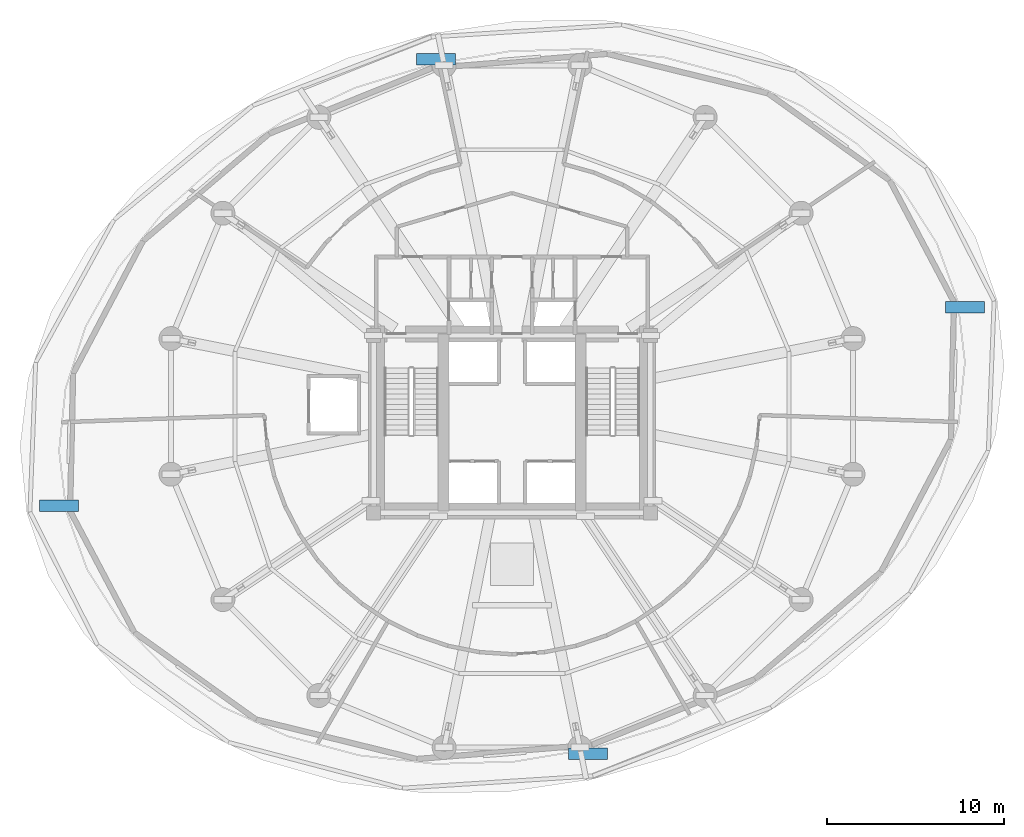
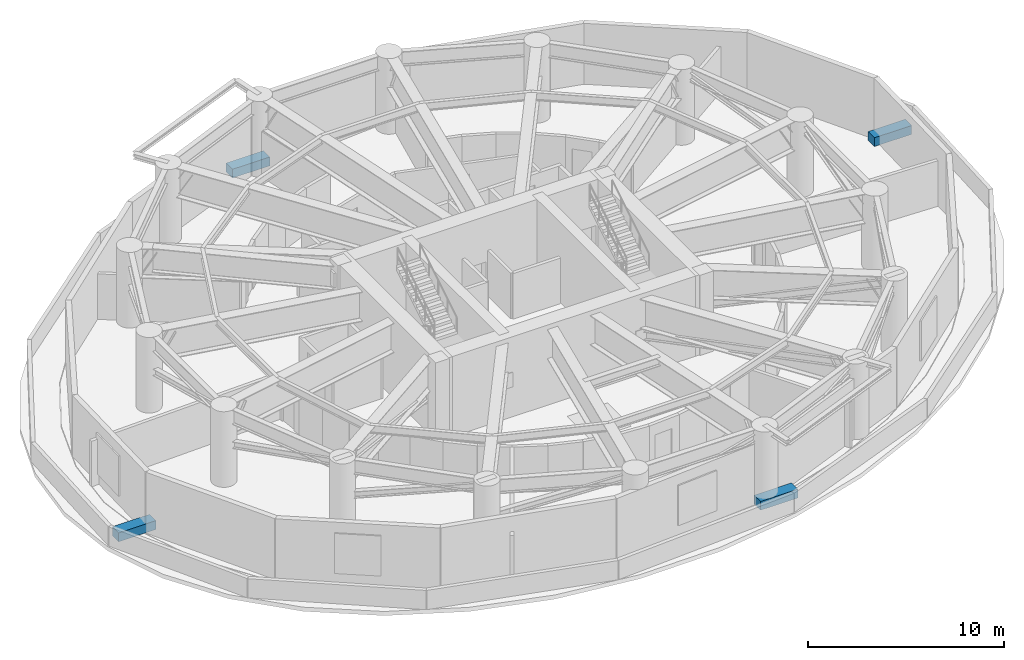
# One storey, part 6 of 8: 4 discrete accessories.
"""IFC4 building model written with IfcOpenShell, lengths in metres."""

import ifcopenshell
import ifcopenshell.guid

model = None  # the IFC model being written
_history = None  # IfcOwnerHistory: only IFC2X3 demands one
_inside = {}  # id of a spatial element -> (the spatial element, [elements in it])
_under = {}  # id of a project, library or spatial element -> (it, [spatial elements below it])
_declared = {}  # id of a project -> (the project, [libraries it declares])
_typed = {}  # id of a type object -> (the type object, [elements of that type])
_made_of = {}  # id of a material, layer set ... -> (it, [elements and type objects made of it])


def new_model(schema):
    """Start an empty IFC model of exactly this schema.

    Asked for "IFC4X3", IfcOpenShell would pick the latest addendum, in which some entities
    have other attributes; the version numbers below select the first issue.
    IFC2X3 requires an IfcOwnerHistory on every rooted entity: one is made here for all.
    """
    global model, _history
    if schema == "IFC4X3":
        model = ifcopenshell.file(schema_version=(4, 3, 0, 0))
    else:
        model = ifcopenshell.file(schema=schema)
    _inside.clear()
    _under.clear()
    _declared.clear()
    _typed.clear()
    _made_of.clear()
    _history = None
    if model.schema == "IFC2X3":
        org = make("IfcOrganization", Name="unknown")
        user = make(
            "IfcPersonAndOrganization",
            ThePerson=make("IfcPerson", FamilyName="unknown"),
            TheOrganization=org,
        )
        app = make(
            "IfcApplication",
            ApplicationDeveloper=org,
            Version="unknown",
            ApplicationFullName="unknown",
            ApplicationIdentifier="unknown",
        )
        _history = make(
            "IfcOwnerHistory",
            OwningUser=user,
            OwningApplication=app,
            ChangeAction="ADDED",
            CreationDate=0,
        )
    return model


def make(cls, **values):
    """One entity of the class cls with the attributes given. An attribute that is None is left unset."""
    return model.create_entity(
        cls, **{name: value for name, value in values.items() if value is not None}
    )


def rooted(cls, **values):
    """An entity with a GlobalId (a new one), such as an element, a storey or a relation."""
    return make(cls, GlobalId=ifcopenshell.guid.new(), OwnerHistory=_history, **values)


def si_unit(unit_type, name, prefix=None):
    """IfcSIUnit, for example si_unit("LENGTHUNIT", "METRE", prefix="MILLI")."""
    return make("IfcSIUnit", UnitType=unit_type, Prefix=prefix, Name=name)


def assignment(units):
    """IfcUnitAssignment: the units of a project."""
    return None if units is None else make("IfcUnitAssignment", Units=units)


def point(xyz):
    """IfcCartesianPoint."""
    return None if xyz is None else make("IfcCartesianPoint", Coordinates=xyz)


def direction(xyz):
    """IfcDirection."""
    return None if xyz is None else make("IfcDirection", DirectionRatios=xyz)


def frame(location, z_axis=None, x_axis=None):
    """IfcAxis2Placement3D, a coordinate frame: its origin and axes. An axis left out is left unset."""
    return make(
        "IfcAxis2Placement3D",
        Location=point(location),
        Axis=direction(z_axis),
        RefDirection=direction(x_axis),
    )


def frame_2d(location, x_axis=None):
    """IfcAxis2Placement2D, a coordinate frame in the plane: its origin and x axis."""
    return make(
        "IfcAxis2Placement2D", Location=point(location), RefDirection=direction(x_axis)
    )


def origin():
    """The frame at (0, 0, 0) with its axes left unset."""
    return frame((0.0, 0.0, 0.0))


def origin_2d():
    """The frame at (0, 0) in the plane with its x axis left unset."""
    return frame_2d((0.0, 0.0))


def place(relative_to, where):
    """IfcLocalPlacement: puts the frame where relative to a parent placement (None: the world)."""
    return make(
        "IfcLocalPlacement", PlacementRelTo=relative_to, RelativePlacement=where
    )


def context(
    kind, dimensions, precision=None, world=None, true_north=None, identifier=None
):
    """IfcGeometricRepresentationContext, for example the 3D "Model" context."""
    return make(
        "IfcGeometricRepresentationContext",
        ContextIdentifier=identifier,
        ContextType=kind,
        CoordinateSpaceDimension=dimensions,
        Precision=precision,
        WorldCoordinateSystem=world,
        TrueNorth=true_north,
    )


def subcontext(parent, identifier, kind, view, scale=None):
    """IfcGeometricRepresentationSubContext, for example "Body" below "Model"."""
    return make(
        "IfcGeometricRepresentationSubContext",
        ContextIdentifier=identifier,
        ContextType=kind,
        ParentContext=parent,
        TargetScale=scale,
        TargetView=view,
    )


def project(units=None, contexts=None):
    """IfcProject with its units and contexts."""
    return rooted(
        "IfcProject",
        Name="project",
        RepresentationContexts=contexts,
        UnitsInContext=assignment(units),
    )


def spatial(cls, under=None, at=None, **own):
    """A site, building, storey or space (cls), placed at a placement, below another one or the project."""
    s = rooted(cls, ObjectPlacement=at, **own)
    if under is not None:
        _under.setdefault(under.id(), (under, []))[1].append(s)
    return s


def profile(cls, at=None, kind="AREA", **sizes):
    """A parametric profile (cls). Its sizes go by their IFC names, for example OverallWidth=200.0."""
    return make(cls, ProfileType=kind, Position=at, **sizes)


def rectangle(**sizes):
    """IfcRectangleProfileDef."""
    return profile("IfcRectangleProfileDef", **sizes)


def extrude(swept, where, along, depth):
    """IfcExtrudedAreaSolid: the profile swept, set in the frame where, extruded along a direction by depth."""
    return make(
        "IfcExtrudedAreaSolid",
        SweptArea=swept,
        Position=where,
        ExtrudedDirection=direction(along),
        Depth=depth,
    )


def shape(context_of_items, identifier, shape_type, items):
    """IfcShapeRepresentation: the items that make up one representation, for example the "Body"."""
    return make(
        "IfcShapeRepresentation",
        ContextOfItems=context_of_items,
        RepresentationIdentifier=identifier,
        RepresentationType=shape_type,
        Items=items,
    )


def material(Name=None, Category=None):
    """IfcMaterial."""
    return make("IfcMaterial", Name=Name, Category=Category)


def made_of(thing, what):
    """Note that an element or type object is made of a material, layer set ...; save() writes the relation."""
    if what is not None:
        _made_of.setdefault(what.id(), (what, []))[1].append(thing)
    return thing


def type_object(cls, material=None, **own):
    """A type object (cls), such as IfcWallType, which elements share."""
    return made_of(rooted(cls, **own), material)


def element(
    cls,
    number,
    at=None,
    inside=None,
    cuts=None,
    type_object=None,
    material=None,
    context=None,
    identifier="Body",
    shape_type=None,
    held_by="IfcProductDefinitionShape",
    body=None,
    shapes=None,
    **own,
):
    """One element of the class cls, such as IfcWall. Its Tag is "e" and its number.

    at: its placement. inside: the storey or other place that contains it. cuts: it is an
    opening in that element (IfcRelVoidsElement). A single representation is given by context,
    identifier, shape_type and body (its items); several are given by shapes. held_by: the class
    of the entity that holds the representations. save() writes the other relations.
    """
    e = rooted(cls, Tag="e%d" % number, ObjectPlacement=at, **own)
    if body is not None:
        shapes = [shape(context, identifier, shape_type, body)]
    if shapes is not None:
        e.Representation = make(held_by, Representations=shapes)
    if inside is not None:
        _inside.setdefault(inside.id(), (inside, []))[1].append(e)
    if cuts is not None:
        rooted(
            "IfcRelVoidsElement", RelatingBuildingElement=cuts, RelatedOpeningElement=e
        )
    if type_object is not None:
        _typed.setdefault(type_object.id(), (type_object, []))[1].append(e)
    return made_of(e, material)


def aggregate(whole, parts):
    """IfcRelAggregates: a whole, such as a stair, and the parts it consists of."""
    return rooted("IfcRelAggregates", RelatingObject=whole, RelatedObjects=parts)


def save(model, path):
    """Write the relations noted so far, then the file.

    IfcRelAggregates (storeys below a building ...), IfcRelContainedInSpatialStructure (elements
    in a storey), IfcRelDefinesByType, IfcRelAssociatesMaterial and IfcRelDeclares: one each for
    every whole, place, type object, material and project.
    """
    for whole, parts in _under.values():
        aggregate(whole, parts)
    for where, things in _inside.values():
        rooted(
            "IfcRelContainedInSpatialStructure",
            RelatedElements=things,
            RelatingStructure=where,
        )
    for kind, things in _typed.values():
        rooted("IfcRelDefinesByType", RelatedObjects=things, RelatingType=kind)
    for what, things in _made_of.values():
        rooted("IfcRelAssociatesMaterial", RelatedObjects=things, RelatingMaterial=what)
    for by, libraries in _declared.values():
        rooted("IfcRelDeclares", RelatingContext=by, RelatedDefinitions=libraries)
    model.write(path)


model = new_model("IFC4")

# Units and contexts
model_context = context("Model", 3, precision=1e-05, world=origin(), true_north=direction((0.0, 1.0)))
body_context = subcontext(model_context, "Body", "Model", "MODEL_VIEW")
ifc_project = project(units=[si_unit("LENGTHUNIT", "METRE"), si_unit("AREAUNIT", "SQUARE_METRE"), si_unit("VOLUMEUNIT", "CUBIC_METRE"), si_unit("PLANEANGLEUNIT", "RADIAN"), si_unit("MASSUNIT", "GRAM", prefix="KILO"), si_unit("THERMODYNAMICTEMPERATUREUNIT", "KELVIN"), si_unit("POWERUNIT", "WATT")], contexts=[model_context])

# Site, building, storey
site_placement = place(None, origin())
site = spatial("IfcSite", under=ifc_project, at=site_placement, CompositionType="ELEMENT")
building_placement = place(site_placement, origin())
building = spatial("IfcBuilding", under=site, at=building_placement, Name="Ocrelia Relay Tower", CompositionType="ELEMENT")
storey_placement = place(building_placement, frame((0.0, 0.0, 88.800048828125)))
storey = spatial("IfcBuildingStorey", under=building, at=storey_placement, Name="L20", CompositionType="ELEMENT", Elevation=88.800048828125)

# Discrete accessories
ifc_material = material(Name="Precast concrete C40/50 planter with highland greenery", Category="concrete")
discrete_accessory_type = type_object("IfcDiscreteAccessoryType", Name="ACC-BALC-PLANTER", PredefinedType="USERDEFINED", material=ifc_material)
for number, where, z_axis, x_axis, name in (
    (1, (59.545654296875, 31.59326171875, 0.0), (0.0, 0.0, 1.0), (1.0, 0.0, 0.0), "L20 Setback Green Roof Planter 0"),
    (2, (29.713623046875, 45.576904296875, 0.0), (0.0, 0.0, 1.0), (1.0, 0.0, 0.0), "L20 Setback Green Roof Planter 4"),
    (3, (8.454345703125, 20.40673828125, 0.0), (0.0, 0.0, 1.0), (1.0, 0.0, 0.0), "L20 Setback Green Roof Planter 8"),
    (4, (38.286376953125, 6.423095703125, 0.0), (0.0, 0.0, 1.0), (1.0, 0.0, 0.0), "L20 Setback Green Roof Planter 12"),
):
    element("IfcDiscreteAccessory", number, at=place(storey_placement, frame(where, z_axis=z_axis, x_axis=x_axis)), inside=storey, type_object=discrete_accessory_type, Name=name, ObjectType="PLANTER", PredefinedType="USERDEFINED", context=body_context, shape_type="SweptSolid", body=[
        extrude(rectangle(XDim=2.199951171875, YDim=0.64990234375, at=origin_2d()), origin(), (0.0, 0.0, 1.0), 0.550048828125),
    ])

save(model, "model.ifc")
